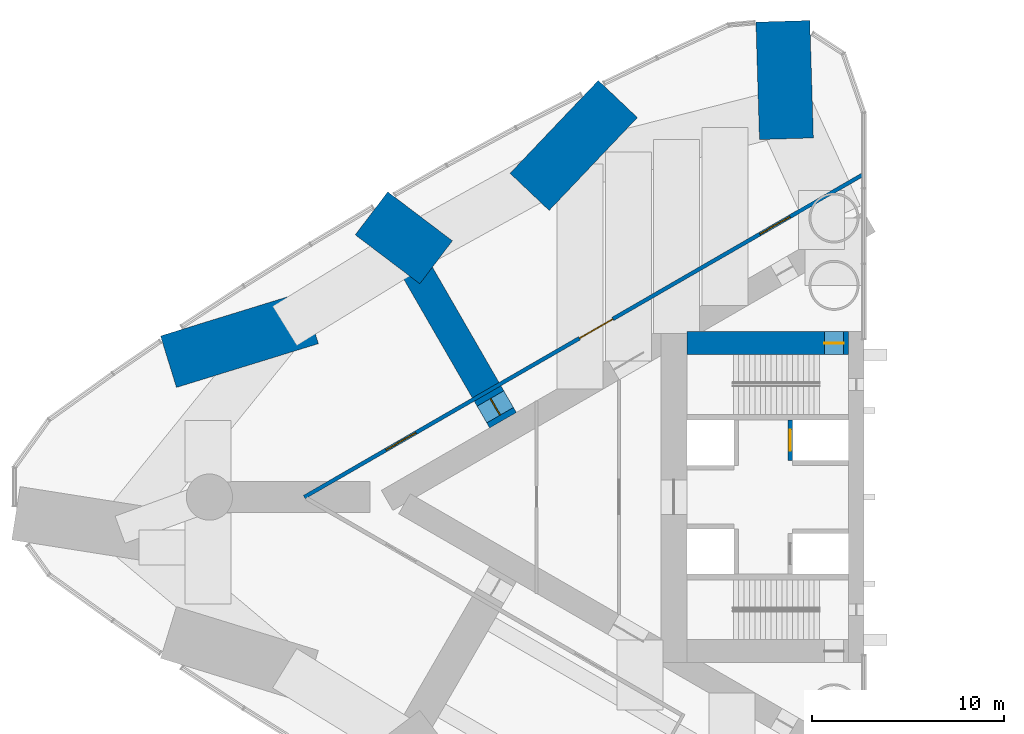
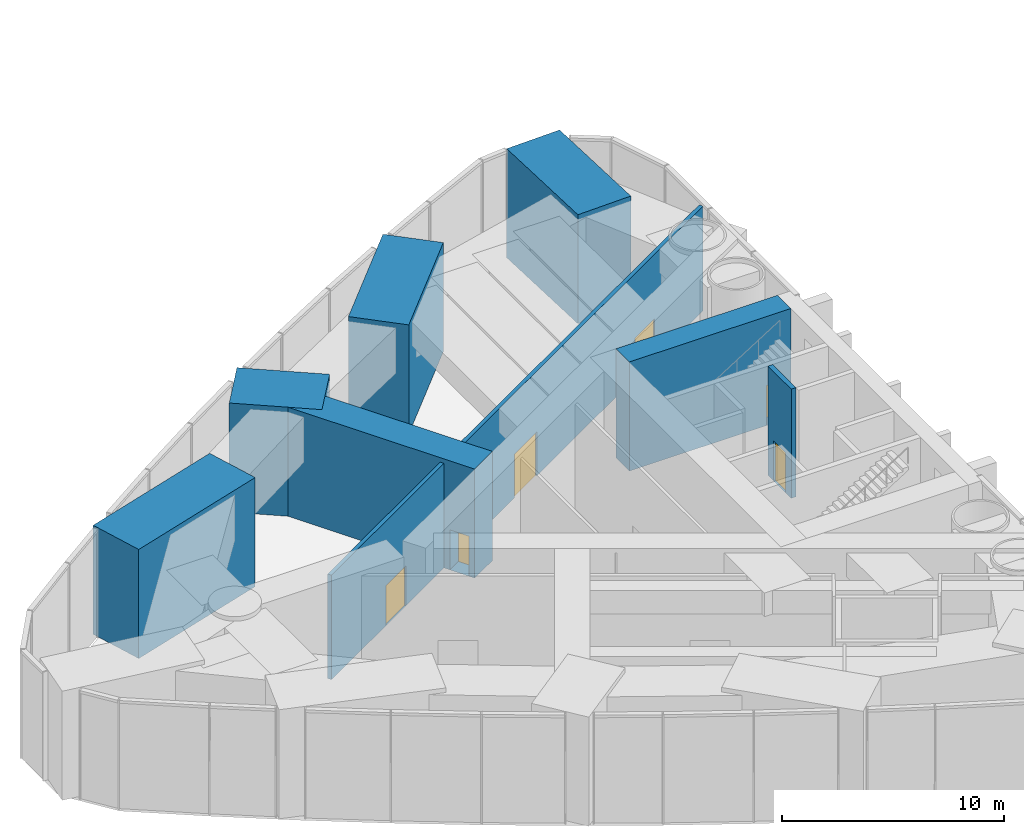
# One storey, part 12 of 16: 8 walls, 6 doors, 6 openings.
"""IFC4 building model written with IfcOpenShell, lengths in metres."""

from ifc_helpers import new_model, si_unit, direction, frame, frame_2d, origin, place, context, subcontext, project, spatial, rectangle, extrude, material, layer, layer_set, type_object, element, fill, save


model = new_model("IFC4")

# Units and contexts
model_context = context("Model", 3, precision=1e-05, world=origin(), true_north=direction((0.0, 1.0)))
body_context = subcontext(model_context, "Body", "Model", "MODEL_VIEW")
ifc_project = project(units=[si_unit("LENGTHUNIT", "METRE"), si_unit("AREAUNIT", "SQUARE_METRE"), si_unit("VOLUMEUNIT", "CUBIC_METRE"), si_unit("PLANEANGLEUNIT", "RADIAN"), si_unit("MASSUNIT", "GRAM", prefix="KILO")], contexts=[model_context])

# Site, building, storey
site_placement = place(None, origin())
site = spatial("IfcSite", under=ifc_project, at=site_placement, CompositionType="ELEMENT")
building_placement = place(site_placement, origin())
building = spatial("IfcBuilding", under=site, at=building_placement, Name="Lancet Gate Hotel", CompositionType="ELEMENT")
storey_placement = place(building_placement, frame((0.0, 0.0, 146.699951171875)))
storey = spatial("IfcBuildingStorey", under=building, at=storey_placement, Name="L39", CompositionType="ELEMENT", Elevation=146.699951171875)

# Wall, opening, door
ifc_material_1 = material(Name="Concrete C70/85", Category="concrete")
ifc_layer_1 = layer(ifc_material_1, 1.199951171875)
ifc_layer_set_1 = layer_set([ifc_layer_1], Name="Core wall 1200")
wall_type_1 = type_object("IfcWallType", Name="Core wall 1200", PredefinedType="SHEAR", material=ifc_layer_set_1)
wall_1_placement = place(storey_placement, frame((-28.300048828125, 8.0, 0.0), z_axis=(0.0, 0.0, 1.0), x_axis=(-1.0, 0.0, 0.0)))
wall_1 = element("IfcWall", 1, at=wall_1_placement, inside=storey, type_object=wall_type_1, Name="T1 core wall side-S L39", PredefinedType="SHEAR", context=body_context, shape_type="SweptSolid", body=[
    extrude(rectangle(XDim=8.39990234375, YDim=1.199951171875, at=frame_2d((4.199951171875, 0.0))), origin(), (0.0, 0.0, 1.0), 6.0),
])
opening_1_placement = place(wall_1_placement, frame((0.25, 0.0, 0.0)))
opening_1 = element("IfcOpeningElement", 2, at=opening_1_placement, cuts=wall_1, Name="Opening T1-L39-ST1", PredefinedType="OPENING", context=body_context, shape_type="SweptSolid", body=[
    extrude(rectangle(XDim=1.0, YDim=2.199951171875, at=frame_2d((0.5, 1.10009765625))), frame((0.0, 0.60986328125, 0.0), z_axis=(0.0, -1.0, 0.0), x_axis=(1.0, 0.0, 0.0)), (0.0, 0.0, 1.0), 1.219970703125),
])
ifc_material_2 = material(Name="Timber door set", Category="wood")
door_type_1 = type_object("IfcDoorType", Name="Stair door 1000", OperationType="SINGLE_SWING_RIGHT", PredefinedType="DOOR", material=ifc_material_2)
door_1_placement = place(opening_1_placement, origin())
door_1 = element("IfcDoor", 3, at=door_1_placement, inside=storey, type_object=door_type_1, Name="T1-L39-ST1", OperationType="SINGLE_SWING_RIGHT", OverallHeight=2.199951171875, OverallWidth=1.0, PredefinedType="DOOR", context=body_context, shape_type="SweptSolid", body=[
    extrude(rectangle(XDim=1.0, YDim=2.199951171875, at=frame_2d((0.5, 1.10009765625))), frame((0.0, 0.02490234375, 0.0), z_axis=(0.0, -1.0, 0.0), x_axis=(1.0, 0.0, 0.0)), (0.0, 0.0, 1.0), 0.050048828125),
])
fill(opening_1, door_1)

# Wall, openings, doors
ifc_material_3 = material(Name="Gypsum board partition")
ifc_layer_2 = layer(ifc_material_3, 0.199951171875)
ifc_layer_set_2 = layer_set([ifc_layer_2], Name="Corridor wall 200")
wall_type_2 = type_object("IfcWallType", Name="Corridor wall 200", PredefinedType="PARTITIONING", material=ifc_layer_set_2)
wall_2_placement = place(storey_placement, frame((-27.572021484375, 16.740966796875, 0.0), z_axis=(0.0, 0.0, 1.0), x_axis=(-0.866026395587, -0.499998282143, 0.0)))
wall_2 = element("IfcWall", 4, at=wall_2_placement, inside=storey, type_object=wall_type_2, Name="T1 corridor wall 200 L39", PredefinedType="PARTITIONING", context=body_context, shape_type="SweptSolid", body=[
    extrude(rectangle(XDim=33.48193359375, YDim=0.199951171875, at=frame_2d((16.740966796875, 0.0))), origin(), (0.0, 0.0, 1.0), 5.75),
])
opening_2_placement = place(wall_2_placement, frame((4.353759765625, 0.0, 0.0)))
opening_2 = element("IfcOpeningElement", 5, at=opening_2_placement, cuts=wall_2, Name="Opening T1-L39-RB01", PredefinedType="OPENING", context=body_context, shape_type="SweptSolid", body=[
    extrude(rectangle(XDim=1.800048828125, YDim=2.199951171875, at=frame_2d((0.89990234375, 1.10009765625))), frame((0.0, 0.10986328125, 0.0), z_axis=(0.0, -1.0, 0.0), x_axis=(1.0, 0.0, 0.0)), (0.0, 0.0, 1.0), 0.219970703125),
])
opening_3_placement = place(wall_2_placement, frame((14.97705078125, 0.0, 0.0)))
opening_3 = element("IfcOpeningElement", 6, at=opening_3_placement, cuts=wall_2, Name="Opening T1-L39-RB02", PredefinedType="OPENING", context=body_context, shape_type="SweptSolid", body=[
    extrude(rectangle(XDim=2.0, YDim=2.39990234375, at=frame_2d((1.0, 1.199951171875))), frame((0.0, 0.10986328125, 0.0), z_axis=(0.0, -1.0, 0.0), x_axis=(1.0, 0.0, 0.0)), (0.0, 0.0, 1.0), 0.219970703125),
])
opening_4_placement = place(wall_2_placement, frame((26.7880859375, 0.0, 0.0)))
opening_4 = element("IfcOpeningElement", 7, at=opening_4_placement, cuts=wall_2, Name="Opening T1-L39-RB04", PredefinedType="OPENING", context=body_context, shape_type="SweptSolid", body=[
    extrude(rectangle(XDim=1.800048828125, YDim=2.199951171875, at=frame_2d((0.89990234375, 1.10009765625))), frame((0.0, 0.10986328125, 0.0), z_axis=(0.0, -1.0, 0.0), x_axis=(1.0, 0.0, 0.0)), (0.0, 0.0, 1.0), 0.219970703125),
])
ifc_material_4 = material(Name="Timber door set", Category="wood")
door_type_2 = type_object("IfcDoorType", Name="Double door 1800", OperationType="DOUBLE_DOOR_SINGLE_SWING", PredefinedType="DOOR", material=ifc_material_4)
door_2_placement = place(opening_2_placement, origin())
door_2 = element("IfcDoor", 8, at=door_2_placement, inside=storey, type_object=door_type_2, Name="T1-L39-RB01", OperationType="DOUBLE_DOOR_SINGLE_SWING", OverallHeight=2.199951171875, OverallWidth=1.800048828125, PredefinedType="DOOR", context=body_context, shape_type="SweptSolid", body=[
    extrude(rectangle(XDim=1.800048828125, YDim=2.199951171875, at=frame_2d((0.89990234375, 1.10009765625))), frame((0.0, 0.02490234375, 0.0), z_axis=(0.0, -1.0, 0.0), x_axis=(1.0, 0.0, 0.0)), (0.0, 0.0, 1.0), 0.050048828125),
])
fill(opening_2, door_2)
door_3_placement = place(opening_4_placement, origin())
door_3 = element("IfcDoor", 9, at=door_3_placement, inside=storey, type_object=door_type_2, Name="T1-L39-RB04", OperationType="DOUBLE_DOOR_SINGLE_SWING", OverallHeight=2.199951171875, OverallWidth=1.800048828125, PredefinedType="DOOR", context=body_context, shape_type="SweptSolid", body=[
    extrude(rectangle(XDim=1.800048828125, YDim=2.199951171875, at=frame_2d((0.89990234375, 1.10009765625))), frame((0.0, 0.02490234375, 0.0), z_axis=(0.0, -1.0, 0.0), x_axis=(1.0, 0.0, 0.0)), (0.0, 0.0, 1.0), 0.050048828125),
])
fill(opening_4, door_3)
ifc_material_5 = material(Name="Timber door set", Category="wood")
door_type_3 = type_object("IfcDoorType", Name="Plant room double door 2000", OperationType="DOUBLE_DOOR_SINGLE_SWING", PredefinedType="DOOR", material=ifc_material_5)
door_4_placement = place(opening_3_placement, origin())
door_4 = element("IfcDoor", 10, at=door_4_placement, inside=storey, type_object=door_type_3, Name="T1-L39-RB02", OperationType="DOUBLE_DOOR_SINGLE_SWING", OverallHeight=2.39990234375, OverallWidth=2.0, PredefinedType="DOOR", context=body_context, shape_type="SweptSolid", body=[
    extrude(rectangle(XDim=2.0, YDim=2.39990234375, at=frame_2d((1.0, 1.199951171875))), frame((0.0, 0.02490234375, 0.0), z_axis=(0.0, -1.0, 0.0), x_axis=(1.0, 0.0, 0.0)), (0.0, 0.0, 1.0), 0.050048828125),
])
fill(opening_3, door_4)

# Wall, opening, door
ifc_material_6 = material(Name="Concrete C50/60", Category="concrete")
ifc_layer_3 = layer(ifc_material_6, 0.25)
ifc_layer_set_3 = layer_set([ifc_layer_3], Name="Lift shaft wall 250")
wall_type_3 = type_object("IfcWallType", Name="Lift shaft wall 250", PredefinedType="SHEAR", material=ifc_layer_set_3)
wall_3_placement = place(storey_placement, frame((-31.324951171875, 4.0, 0.0), z_axis=(0.0, 0.0, 1.0), x_axis=(0.0, -1.0, 0.0)))
wall_3 = element("IfcWall", 11, at=wall_3_placement, inside=storey, type_object=wall_type_3, Name="T1 core wall row1-S L39", PredefinedType="SHEAR", context=body_context, shape_type="SweptSolid", body=[
    extrude(rectangle(XDim=2.10009765625, YDim=0.25, at=frame_2d((1.050048828125, 0.0))), origin(), (0.0, 0.0, 1.0), 6.0),
])
opening_5_placement = place(wall_3_placement, frame((0.5, 0.0, 0.0)))
opening_5 = element("IfcOpeningElement", 12, at=opening_5_placement, cuts=wall_3, Name="Opening T1-SL1-L39", PredefinedType="OPENING", context=body_context, shape_type="SweptSolid", body=[
    extrude(rectangle(XDim=1.10009765625, YDim=2.199951171875, at=frame_2d((0.550048828125, 1.10009765625))), frame((0.0, 0.135009765625, 0.0), z_axis=(0.0, -1.0, 0.0), x_axis=(1.0, 0.0, 0.0)), (0.0, 0.0, 1.0), 0.27001953125),
])
ifc_material_7 = material(Name="Timber door set", Category="wood")
door_type_4 = type_object("IfcDoorType", Name="Service lift landing door 1100", OperationType="SLIDING_TO_LEFT", PredefinedType="USERDEFINED", material=ifc_material_7)
door_5_placement = place(opening_5_placement, origin())
door_5 = element("IfcDoor", 13, at=door_5_placement, inside=storey, type_object=door_type_4, Name="T1-SL1-L39", ObjectType="LIFT LANDING DOOR", OperationType="SLIDING_TO_LEFT", OverallHeight=2.199951171875, OverallWidth=1.10009765625, PredefinedType="USERDEFINED", context=body_context, shape_type="SweptSolid", body=[
    extrude(rectangle(XDim=1.10009765625, YDim=2.199951171875, at=frame_2d((0.550048828125, 1.10009765625))), frame((0.0, 0.02490234375, 0.0), z_axis=(0.0, -1.0, 0.0), x_axis=(1.0, 0.0, 0.0)), (0.0, 0.0, 1.0), 0.050048828125),
])
fill(opening_5, door_5)

ifc_material_8 = material(Name="Concrete C80/95", Category="concrete")
ifc_layer_4 = layer(ifc_material_8, 1.60009765625)
ifc_layer_set_4 = layer_set([ifc_layer_4], Name="Outrigger wall 1600")
wall_type_4 = type_object("IfcWallType", Name="Outrigger wall 1600", PredefinedType="SHEAR", material=ifc_layer_set_4)
wall_4_placement = place(storey_placement, frame((-46.247802734375, 3.99560546875, 0.0), z_axis=(0.0, 0.0, 1.0), x_axis=(-0.499993613132, 0.866029091213, 0.0)))
wall_4 = element("IfcWall", 14, at=wall_4_placement, inside=storey, type_object=wall_type_4, Name="T1 outrigger wall OS2 L39", PredefinedType="SHEAR", context=body_context, shape_type="SweptSolid", body=[
    extrude(rectangle(XDim=11.430908203125, YDim=1.60009765625, at=frame_2d((5.71533203125, 0.0))), origin(), (0.0, 0.0, 1.0), 6.0),
])
opening_6_placement = place(wall_4_placement, frame((0.300048828125, 0.0, 0.0)))
opening_6 = element("IfcOpeningElement", 15, at=opening_6_placement, cuts=wall_4, Name="Opening T1-L39-LSO", PredefinedType="OPENING", context=body_context, shape_type="SweptSolid", body=[
    extrude(rectangle(XDim=1.0, YDim=2.199951171875, at=frame_2d((0.5, 1.10009765625))), frame((0.0, 0.81005859375, 0.0), z_axis=(0.0, -1.0, 0.0), x_axis=(1.0, 0.0, 0.0)), (0.0, 0.0, 1.0), 1.6201171875),
])
ifc_material_9 = material(Name="Timber door set", Category="wood")
door_type_5 = type_object("IfcDoorType", Name="Corridor door 1000", OperationType="SINGLE_SWING_LEFT", PredefinedType="DOOR", material=ifc_material_9)
door_6_placement = place(opening_6_placement, origin())
door_6 = element("IfcDoor", 16, at=door_6_placement, inside=storey, type_object=door_type_5, Name="T1-L39-LSO", OperationType="SINGLE_SWING_LEFT", OverallHeight=2.199951171875, OverallWidth=1.0, PredefinedType="DOOR", context=body_context, shape_type="SweptSolid", body=[
    extrude(rectangle(XDim=1.0, YDim=2.199951171875, at=frame_2d((0.5, 1.10009765625))), frame((0.0, 0.02490234375, 0.0), z_axis=(0.0, -1.0, 0.0), x_axis=(1.0, 0.0, 0.0)), (0.0, 0.0, 1.0), 0.050048828125),
])
fill(opening_6, door_6)

# Walls
ifc_material_10 = material(Name="Concrete C80/95", Category="concrete")
ifc_layer_5 = layer(ifc_material_10, 2.800048828125)
ifc_layer_set_5 = layer_set([ifc_layer_5], Name="Radial transfer wall 2800")
wall_type_5 = type_object("IfcWallType", Name="Radial transfer wall 2800", PredefinedType="SHEAR", material=ifc_layer_set_5)
wall_5_placement = place(storey_placement, frame((-31.70654296875, 24.7177734375, 0.0), z_axis=(0.0, 0.0, 1.0), x_axis=(0.029997298421, -0.999549979785, 0.0)))
element("IfcWall", 17, at=wall_5_placement, inside=storey, type_object=wall_type_5, Name="T1 radial transfer wall CS L39", PredefinedType="SHEAR", context=body_context, shape_type="SweptSolid", body=[
    extrude(rectangle(XDim=6.10400390625, YDim=2.800048828125, at=frame_2d((3.052001953125, 0.0))), origin(), (0.0, 0.0, 1.0), 6.0),
])
wall_6_placement = place(storey_placement, frame((-40.280517578125, 20.6806640625, 0.0), z_axis=(0.0, 0.0, 1.0), x_axis=(-0.688883466121, -0.724872106033, 0.0)))
element("IfcWall", 18, at=wall_6_placement, inside=storey, type_object=wall_type_5, Name="T1 radial transfer wall OS1 L39", PredefinedType="SHEAR", context=body_context, shape_type="SweptSolid", body=[
    extrude(rectangle(XDim=6.655029296875, YDim=2.800048828125, at=frame_2d((3.32763671875, 0.0))), origin(), (0.0, 0.0, 1.0), 6.0),
])
wall_7_placement = place(storey_placement, frame((-53.0791015625, 14.740478515625, 0.0), z_axis=(0.0, 0.0, 1.0), x_axis=(0.797075233676, -0.603880014457, 0.0)))
element("IfcWall", 19, at=wall_7_placement, inside=storey, type_object=wall_type_5, Name="T1 radial transfer wall OS2 L39", PredefinedType="SHEAR", context=body_context, shape_type="SweptSolid", body=[
    extrude(rectangle(XDim=4.210693359375, YDim=2.800048828125, at=frame_2d((2.10546875, 0.0))), origin(), (0.0, 0.0, 1.0), 6.0),
])
wall_8_placement = place(storey_placement, frame((-63.62451171875, 7.031982421875, 0.0), z_axis=(0.0, 0.0, 1.0), x_axis=(0.955592035737, 0.29469282522, 0.0)))
element("IfcWall", 20, at=wall_8_placement, inside=storey, type_object=wall_type_5, Name="T1 radial transfer wall OS3 L39", PredefinedType="SHEAR", context=body_context, shape_type="SweptSolid", body=[
    extrude(rectangle(XDim=7.71533203125, YDim=2.800048828125, at=frame_2d((3.857666015625, 0.0))), origin(), (0.0, 0.0, 1.0), 6.0),
])

save(model, "model.ifc")
